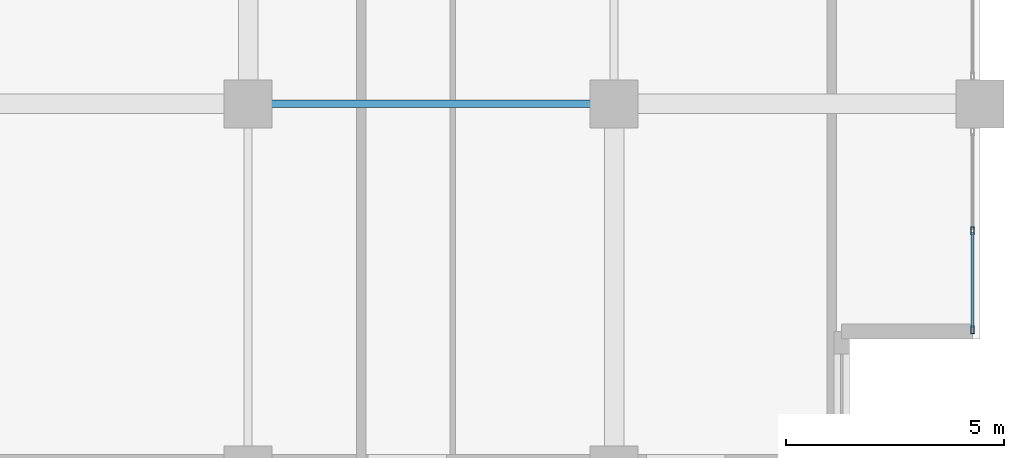
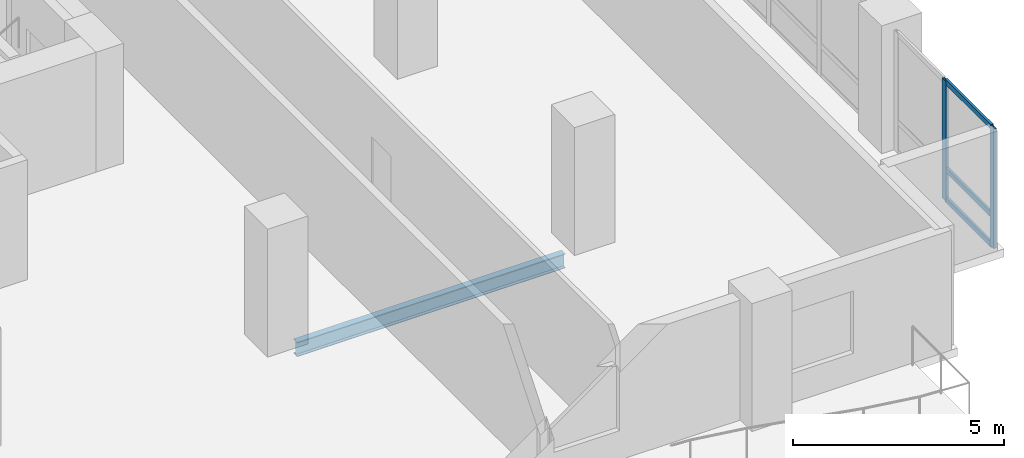
# One storey, part 3 of 22: 5 members, 1 beam, 1 element without a shape of its own.
"""IFC4 building model written with IfcOpenShell, lengths in metres."""

from ifc_helpers import new_model, si_unit, direction, frame, origin, origin_2d, place, context, subcontext, project, spatial, hollow_rectangle, i_section, extrude, material, layer, layer_set, material_profile, profile_set, type_object, element, aggregate, save


model = new_model("IFC4")

# Units and contexts
model_context = context("Model", 3, precision=1e-05, world=origin(), true_north=direction((0.0, 1.0)))
body_context = subcontext(model_context, "Body", "Model", "MODEL_VIEW")
ifc_project = project(units=[si_unit("LENGTHUNIT", "METRE"), si_unit("AREAUNIT", "SQUARE_METRE"), si_unit("VOLUMEUNIT", "CUBIC_METRE"), si_unit("PLANEANGLEUNIT", "RADIAN"), si_unit("MASSUNIT", "GRAM", prefix="KILO")], contexts=[model_context])

# Site, building, storey
site_placement = place(None, origin())
site = spatial("IfcSite", under=ifc_project, at=site_placement, CompositionType="ELEMENT")
building_placement = place(site_placement, origin())
building = spatial("IfcBuilding", under=site, at=building_placement, Name="Koriwani Terraces Tower", CompositionType="ELEMENT")
storey_placement = place(building_placement, frame((0.0, 0.0, 182.800048828125)))
storey = spatial("IfcBuildingStorey", under=building, at=storey_placement, Name="L44", CompositionType="ELEMENT", Elevation=182.800048828125)

# Curtain wall, members
ifc_material_1 = material(Name="Anodised Bronze Aluminium", Category="aluminium")
ifc_layer = layer(ifc_material_1, 0.169921875, Name="Anodised Bronze Aluminium")
ifc_layer_set = layer_set([ifc_layer], Name="Anodised Bronze Aluminium")
curtain_wall_type = type_object("IfcCurtainWallType", Name="CW_RES_ZONE3", PredefinedType="NOTDEFINED", material=ifc_layer_set)
curtain_wall_placement = place(storey_placement, origin())
curtain_wall = element("IfcCurtainWall", 1, at=curtain_wall_placement, inside=storey, type_object=curtain_wall_type, Name="L44 Unitised Curtain Wall (E_TIP) Bay 4", PredefinedType="NOTDEFINED")
ifc_material_profile_1 = material_profile(ifc_material_1, hollow_rectangle(XDim=0.074951171875, YDim=0.179931640625, WallThickness=0.006103515625, at=origin_2d()), Name="Anodised Bronze Aluminium", Category="LoadBearing")
ifc_profile_set_1 = profile_set([ifc_material_profile_1], Name="Anodised Bronze Aluminium")
member_type_1 = type_object("IfcMemberType", Name="CW_MULLION_180X75", PredefinedType="MULLION", material=ifc_profile_set_1)
member_1_placement = place(storey_placement, frame((75.425048828125, 5.482421875, 0.0), z_axis=(0.0, 0.0, 1.0), x_axis=(1.0, 0.0, 0.0)))
member_1 = element("IfcMember", 2, at=member_1_placement, type_object=member_type_1, Name="CW-Z3 mullion 2", PredefinedType="MULLION", context=body_context, shape_type="SweptSolid", body=[
    extrude(hollow_rectangle(XDim=0.074951171875, YDim=0.179931640625, WallThickness=0.006103515625, at=origin_2d()), origin(), (0.0, 0.0, 1.0), 3.469970703125),
])
member_2_placement = place(storey_placement, frame((75.425048828125, 3.21240234375, 0.0), z_axis=(0.0, 0.0, 1.0), x_axis=(1.0, 0.0, 0.0)))
member_2 = element("IfcMember", 3, at=member_2_placement, type_object=member_type_1, Name="CW-Z3 mullion 3", PredefinedType="MULLION", context=body_context, shape_type="SweptSolid", body=[
    extrude(hollow_rectangle(XDim=0.074951171875, YDim=0.179931640625, WallThickness=0.006103515625, at=origin_2d()), origin(), (0.0, 0.0, 1.0), 3.469970703125),
])
ifc_material_profile_2 = material_profile(ifc_material_1, hollow_rectangle(XDim=0.06494140625, YDim=0.14990234375, WallThickness=0.0048828125, at=origin_2d()), Name="Anodised Bronze Aluminium", Category="LoadBearing")
ifc_profile_set_2 = profile_set([ifc_material_profile_2], Name="Anodised Bronze Aluminium")
member_type_2 = type_object("IfcMemberType", Name="CW_TRANSOM_150X65", PredefinedType="USERDEFINED", material=ifc_profile_set_2)
member_3_placement = place(storey_placement, frame((75.425048828125, 5.445068359375, 0.032470703125), z_axis=(0.0, -1.0, 0.0), x_axis=(1.0, 0.0, 0.0)))
member_3 = element("IfcMember", 4, at=member_3_placement, type_object=member_type_2, Name="CW-Z3 transom 2.1", ObjectType="TRANSOM", PredefinedType="USERDEFINED", context=body_context, shape_type="SweptSolid", body=[
    extrude(hollow_rectangle(XDim=0.06494140625, YDim=0.14990234375, WallThickness=0.0048828125, at=origin_2d()), origin(), (0.0, 0.0, 1.0), 2.195068359375),
])
member_4_placement = place(storey_placement, frame((75.425048828125, 5.445068359375, 0.89990234375), z_axis=(0.0, -1.0, 0.0), x_axis=(1.0, 0.0, 0.0)))
member_4 = element("IfcMember", 5, at=member_4_placement, type_object=member_type_2, Name="CW-Z3 transom 2.2", ObjectType="TRANSOM", PredefinedType="USERDEFINED", context=body_context, shape_type="SweptSolid", body=[
    extrude(hollow_rectangle(XDim=0.06494140625, YDim=0.14990234375, WallThickness=0.0048828125, at=origin_2d()), origin(), (0.0, 0.0, 1.0), 2.195068359375),
])
member_5_placement = place(storey_placement, frame((75.425048828125, 5.445068359375, 3.4375), z_axis=(0.0, -1.0, 0.0), x_axis=(1.0, 0.0, 0.0)))
member_5 = element("IfcMember", 6, at=member_5_placement, type_object=member_type_2, Name="CW-Z3 transom 2.3", ObjectType="TRANSOM", PredefinedType="USERDEFINED", context=body_context, shape_type="SweptSolid", body=[
    extrude(hollow_rectangle(XDim=0.06494140625, YDim=0.14990234375, WallThickness=0.0048828125, at=origin_2d()), origin(), (0.0, 0.0, 1.0), 2.195068359375),
])
aggregate(curtain_wall, [member_1, member_2, member_3, member_4, member_5])

# Beam
ifc_material_2 = material(Name="Steel ASTM A572 Grade 50", Category="steel")
ifc_material_profile_3 = material_profile(ifc_material_2, i_section(OverallWidth=0.180908203125, OverallDepth=0.4169921875, WebThickness=0.010986328125, FlangeThickness=0.018310546875, at=origin_2d()), Name="Steel ASTM A572 Grade 50", Category="LoadBearing")
ifc_profile_set_3 = profile_set([ifc_material_profile_3], Name="Steel ASTM A572 Grade 50")
beam_type = type_object("IfcBeamType", Name="STEEL_BEAM_W410X85", PredefinedType="JOIST", material=ifc_profile_set_3)
beam_placement = place(storey_placement, frame((59.330078125, 8.39990234375, -0.4384765625), z_axis=(1.0, 0.0, 0.0), x_axis=(0.0, 1.0, 0.0)))
element("IfcBeam", 7, at=beam_placement, inside=storey, type_object=beam_type, Name="L44 Grid Beam B (58.8-67.2m)", PredefinedType="JOIST", context=body_context, shape_type="SweptSolid", body=[
    extrude(i_section(OverallWidth=0.180908203125, OverallDepth=0.4169921875, WebThickness=0.010986328125, FlangeThickness=0.018310546875, at=origin_2d()), origin(), (0.0, 0.0, 1.0), 7.33984375),
])

save(model, "model.ifc")
